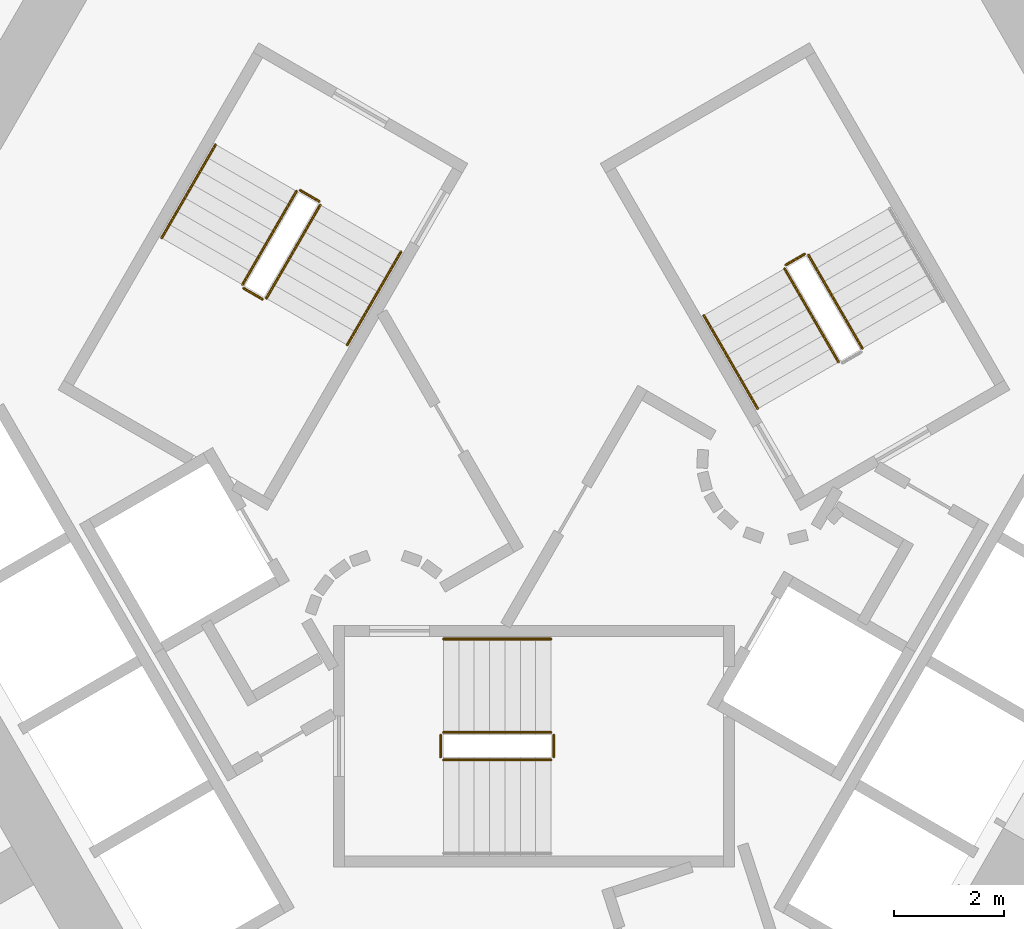
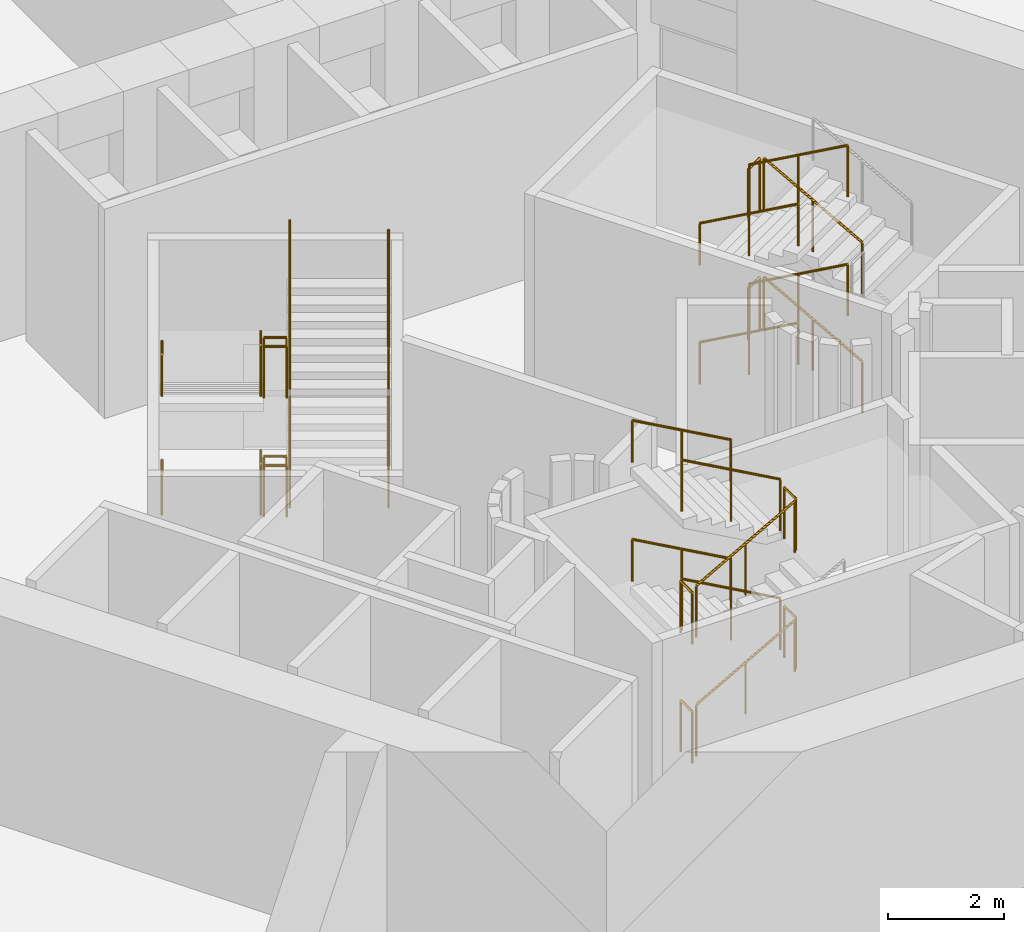
# One storey, part 12 of 15: 30 railings.
"""IFC4 building model written with IfcOpenShell, lengths in metres."""

from ifc_helpers import new_model, si_unit, direction, frame, origin, origin_2d, place, context, subcontext, project, spatial, circle, extrude, material, type_object, element, save


model = new_model("IFC4")

# Units and contexts
model_context = context("Model", 3, precision=1e-05, world=origin(), true_north=direction((0.0, 1.0)))
body_context = subcontext(model_context, "Body", "Model", "MODEL_VIEW")
ifc_project = project(units=[si_unit("LENGTHUNIT", "METRE"), si_unit("AREAUNIT", "SQUARE_METRE"), si_unit("VOLUMEUNIT", "CUBIC_METRE"), si_unit("PLANEANGLEUNIT", "RADIAN"), si_unit("MASSUNIT", "GRAM", prefix="KILO")], contexts=[model_context])

# Site, building, storey
site_placement = place(None, origin())
site = spatial("IfcSite", under=ifc_project, at=site_placement, CompositionType="ELEMENT")
building_placement = place(site_placement, origin())
building = spatial("IfcBuilding", under=site, at=building_placement, Name="Entoto Arch Interchange Tower", CompositionType="ELEMENT")
storey_placement = place(building_placement, frame((0.0, 0.0, 30.0)))
storey = spatial("IfcBuildingStorey", under=building, at=storey_placement, Name="L05", CompositionType="ELEMENT", Elevation=30.0)

# Railings
ifc_material = material(Name="Stainless steel 1.4301", Category="steel")
railing_type_1 = type_object("IfcRailingType", Name="STAIR GUARD 1100 STEEL", PredefinedType="GUARDRAIL", material=ifc_material)
railing_1_placement = place(storey_placement, frame((-1.64990234375, -3.449951171875, 0.15625)))
element("IfcRailing", 1, at=railing_1_placement, inside=storey, type_object=railing_type_1, Name="L05 ST-S stair guard 1", PredefinedType="GUARDRAIL", context=body_context, shape_type="SweptSolid", body=[
    extrude(circle(Radius=0.02392578125, at=origin_2d()), frame((0.0, 0.0, 1.076171875), z_axis=(0.873232148454, 0.0, 0.487304437602), x_axis=(0.0, 1.0, 0.0)), (0.0, 0.0, 1.0), 2.244384765625),
    extrude(circle(Radius=0.02099609375, at=origin_2d()), origin(), (0.0, 0.0, 1.0), 1.052001953125),
    extrude(circle(Radius=0.02099609375, at=origin_2d()), frame((0.97998046875, 0.0, 0.546875)), (0.0, 0.0, 1.0), 1.052001953125),
    extrude(circle(Radius=0.02099609375, at=origin_2d()), frame((1.9599609375, 0.0, 1.09375)), (0.0, 0.0, 1.0), 1.052001953125),
])
railing_2_placement = place(storey_placement, frame((0.360107421875, -3.39990234375, 1.25)))
element("IfcRailing", 2, at=railing_2_placement, inside=storey, type_object=railing_type_1, Name="L05 ST-S stair guard 2", PredefinedType="GUARDRAIL", context=body_context, shape_type="SweptSolid", body=[
    extrude(circle(Radius=0.02392578125, at=origin_2d()), frame((0.0, 0.0, 1.076171875), z_axis=(0.0, 1.0, 0.0), x_axis=(-1.0, 0.0, 0.0)), (0.0, 0.0, 1.0), 0.39990234375),
    extrude(circle(Radius=0.02099609375, at=origin_2d()), origin(), (0.0, 0.0, 1.0), 1.052001953125),
    extrude(circle(Radius=0.02099609375, at=origin_2d()), frame((0.0, 0.39990234375, 0.0)), (0.0, 0.0, 1.0), 1.052001953125),
])
railing_3_placement = place(storey_placement, frame((0.31005859375, -2.949951171875, 1.40625)))
element("IfcRailing", 3, at=railing_3_placement, inside=storey, type_object=railing_type_1, Name="L05 ST-S stair guard 3", PredefinedType="GUARDRAIL", context=body_context, shape_type="SweptSolid", body=[
    extrude(circle(Radius=0.02392578125, at=origin_2d()), frame((0.0, 0.0, 1.076171875), z_axis=(-0.873232148454, 0.0, 0.487304437602), x_axis=(0.0, -1.0, 0.0)), (0.0, 0.0, 1.0), 2.244384765625),
    extrude(circle(Radius=0.02099609375, at=origin_2d()), origin(), (0.0, 0.0, 1.0), 1.052001953125),
    extrude(circle(Radius=0.02099609375, at=origin_2d()), frame((-0.97998046875, 0.0, 0.546875)), (0.0, 0.0, 1.0), 1.052001953125),
    extrude(circle(Radius=0.02099609375, at=origin_2d()), frame((-1.9599609375, 0.0, 1.09375)), (0.0, 0.0, 1.0), 1.052001953125),
])
railing_4_placement = place(storey_placement, frame((-1.699951171875, -3.39990234375, 2.5)))
element("IfcRailing", 4, at=railing_4_placement, inside=storey, type_object=railing_type_1, Name="L05 ST-S stair guard 4", PredefinedType="GUARDRAIL", context=body_context, shape_type="SweptSolid", body=[
    extrude(circle(Radius=0.02392578125, at=origin_2d()), frame((0.0, 0.0, 1.076171875), z_axis=(0.0, 1.0, 0.0), x_axis=(-1.0, 0.0, 0.0)), (0.0, 0.0, 1.0), 0.39990234375),
    extrude(circle(Radius=0.02099609375, at=origin_2d()), origin(), (0.0, 0.0, 1.0), 1.052001953125),
    extrude(circle(Radius=0.02099609375, at=origin_2d()), frame((0.0, 0.39990234375, 0.0)), (0.0, 0.0, 1.0), 1.052001953125),
])
railing_5_placement = place(storey_placement, frame((-1.64990234375, -3.449951171875, 2.65625)))
element("IfcRailing", 5, at=railing_5_placement, inside=storey, type_object=railing_type_1, Name="L05 ST-S stair guard 5", PredefinedType="GUARDRAIL", context=body_context, shape_type="SweptSolid", body=[
    extrude(circle(Radius=0.02392578125, at=origin_2d()), frame((0.0, 0.0, 1.076171875), z_axis=(0.873232148454, 0.0, 0.487304437602), x_axis=(0.0, 1.0, 0.0)), (0.0, 0.0, 1.0), 2.244384765625),
    extrude(circle(Radius=0.02099609375, at=origin_2d()), origin(), (0.0, 0.0, 1.0), 1.052001953125),
    extrude(circle(Radius=0.02099609375, at=origin_2d()), frame((0.97998046875, 0.0, 0.546875)), (0.0, 0.0, 1.0), 1.052001953125),
    extrude(circle(Radius=0.02099609375, at=origin_2d()), frame((1.9599609375, 0.0, 1.09375)), (0.0, 0.0, 1.0), 1.052001953125),
])
railing_6_placement = place(storey_placement, frame((0.360107421875, -3.39990234375, 3.75)))
element("IfcRailing", 6, at=railing_6_placement, inside=storey, type_object=railing_type_1, Name="L05 ST-S stair guard 6", PredefinedType="GUARDRAIL", context=body_context, shape_type="SweptSolid", body=[
    extrude(circle(Radius=0.02392578125, at=origin_2d()), frame((0.0, 0.0, 1.076171875), z_axis=(0.0, 1.0, 0.0), x_axis=(-1.0, 0.0, 0.0)), (0.0, 0.0, 1.0), 0.39990234375),
    extrude(circle(Radius=0.02099609375, at=origin_2d()), origin(), (0.0, 0.0, 1.0), 1.052001953125),
    extrude(circle(Radius=0.02099609375, at=origin_2d()), frame((0.0, 0.39990234375, 0.0)), (0.0, 0.0, 1.0), 1.052001953125),
])
railing_7_placement = place(storey_placement, frame((0.31005859375, -2.949951171875, 3.90625)))
element("IfcRailing", 7, at=railing_7_placement, inside=storey, type_object=railing_type_1, Name="L05 ST-S stair guard 7", PredefinedType="GUARDRAIL", context=body_context, shape_type="SweptSolid", body=[
    extrude(circle(Radius=0.02392578125, at=origin_2d()), frame((0.0, 0.0, 1.076171875), z_axis=(-0.873232148454, 0.0, 0.487304437602), x_axis=(0.0, -1.0, 0.0)), (0.0, 0.0, 1.0), 2.244384765625),
    extrude(circle(Radius=0.02099609375, at=origin_2d()), origin(), (0.0, 0.0, 1.0), 1.052001953125),
    extrude(circle(Radius=0.02099609375, at=origin_2d()), frame((-0.97998046875, 0.0, 0.546875)), (0.0, 0.0, 1.0), 1.052001953125),
    extrude(circle(Radius=0.02099609375, at=origin_2d()), frame((-1.9599609375, 0.0, 1.09375)), (0.0, 0.0, 1.0), 1.052001953125),
])
railing_8_placement = place(storey_placement, frame((-1.699951171875, -3.39990234375, 0.0)))
element("IfcRailing", 8, at=railing_8_placement, inside=storey, type_object=railing_type_1, Name="L05 ST-S stair guard 8", PredefinedType="GUARDRAIL", context=body_context, shape_type="SweptSolid", body=[
    extrude(circle(Radius=0.02392578125, at=origin_2d()), frame((0.0, 0.0, 1.076171875), z_axis=(0.0, 1.0, 0.0), x_axis=(-1.0, 0.0, 0.0)), (0.0, 0.0, 1.0), 0.39990234375),
    extrude(circle(Radius=0.02099609375, at=origin_2d()), origin(), (0.0, 0.0, 1.0), 1.052001953125),
    extrude(circle(Radius=0.02099609375, at=origin_2d()), frame((0.0, 0.39990234375, 0.0)), (0.0, 0.0, 1.0), 1.052001953125),
])
railing_9_placement = place(storey_placement, frame((5.977783203125, 4.046142578125, 0.15625)))
element("IfcRailing", 9, at=railing_9_placement, inside=storey, type_object=railing_type_1, Name="L05 ST-NE stair guard 1", PredefinedType="GUARDRAIL", context=body_context, shape_type="SweptSolid", body=[
    extrude(circle(Radius=0.02392578125, at=origin_2d()), frame((0.0, 0.0, 1.076171875), z_axis=(-0.436632306331, 0.756220177781, 0.487322554151), x_axis=(-0.866011328839, -0.500024377727, 0.0)), (0.0, 0.0, 1.0), 2.244384765625),
    extrude(circle(Radius=0.02099609375, at=origin_2d()), origin(), (0.0, 0.0, 1.0), 1.052001953125),
    extrude(circle(Radius=0.02099609375, at=origin_2d()), frame((-0.489990234375, 0.8486328125, 0.546875)), (0.0, 0.0, 1.0), 1.052001953125),
    extrude(circle(Radius=0.02099609375, at=origin_2d()), frame((-0.97998046875, 1.697265625, 1.09375)), (0.0, 0.0, 1.0), 1.052001953125),
])
railing_10_placement = place(storey_placement, frame((4.929443359375, 5.76171875, 1.25)))
element("IfcRailing", 10, at=railing_10_placement, inside=storey, type_object=railing_type_1, Name="L05 ST-NE stair guard 2", PredefinedType="GUARDRAIL", context=body_context, shape_type="SweptSolid", body=[
    extrude(circle(Radius=0.02392578125, at=origin_2d()), frame((0.0, 0.0, 1.076171875), z_axis=(-0.865941482684, -0.500145327446, 0.0), x_axis=(0.500145327446, -0.865941482684, 0.0)), (0.0, 0.0, 1.0), 0.39990234375),
    extrude(circle(Radius=0.02099609375, at=origin_2d()), origin(), (0.0, 0.0, 1.0), 1.052001953125),
    extrude(circle(Radius=0.02099609375, at=origin_2d()), frame((-0.34619140625, -0.199951171875, 0.0)), (0.0, 0.0, 1.0), 1.052001953125),
])
railing_11_placement = place(storey_placement, frame((4.56494140625, 5.493408203125, 1.40625)))
element("IfcRailing", 11, at=railing_11_placement, inside=storey, type_object=railing_type_1, Name="L05 ST-NE stair guard 3", PredefinedType="GUARDRAIL", context=body_context, shape_type="SweptSolid", body=[
    extrude(circle(Radius=0.02392578125, at=origin_2d()), frame((0.0, 0.0, 1.076171875), z_axis=(0.436632306331, -0.756220177781, 0.487322554151), x_axis=(0.866011328839, 0.500024377727, 0.0)), (0.0, 0.0, 1.0), 2.244384765625),
    extrude(circle(Radius=0.02099609375, at=origin_2d()), origin(), (0.0, 0.0, 1.0), 1.052001953125),
    extrude(circle(Radius=0.02099609375, at=origin_2d()), frame((0.489990234375, -0.8486328125, 0.546875)), (0.0, 0.0, 1.0), 1.052001953125),
    extrude(circle(Radius=0.02099609375, at=origin_2d()), frame((0.97998046875, -1.697265625, 1.09375)), (0.0, 0.0, 1.0), 1.052001953125),
])
railing_12_placement = place(storey_placement, frame((5.977783203125, 4.046142578125, 2.65625)))
element("IfcRailing", 12, at=railing_12_placement, inside=storey, type_object=railing_type_1, Name="L05 ST-NE stair guard 5", PredefinedType="GUARDRAIL", context=body_context, shape_type="SweptSolid", body=[
    extrude(circle(Radius=0.02392578125, at=origin_2d()), frame((0.0, 0.0, 1.076171875), z_axis=(-0.436632306331, 0.756220177781, 0.487322554151), x_axis=(-0.866011328839, -0.500024377727, 0.0)), (0.0, 0.0, 1.0), 2.244384765625),
    extrude(circle(Radius=0.02099609375, at=origin_2d()), origin(), (0.0, 0.0, 1.0), 1.052001953125),
    extrude(circle(Radius=0.02099609375, at=origin_2d()), frame((-0.489990234375, 0.8486328125, 0.546875)), (0.0, 0.0, 1.0), 1.052001953125),
    extrude(circle(Radius=0.02099609375, at=origin_2d()), frame((-0.97998046875, 1.697265625, 1.09375)), (0.0, 0.0, 1.0), 1.052001953125),
])
railing_13_placement = place(storey_placement, frame((4.929443359375, 5.76171875, 3.75)))
element("IfcRailing", 13, at=railing_13_placement, inside=storey, type_object=railing_type_1, Name="L05 ST-NE stair guard 6", PredefinedType="GUARDRAIL", context=body_context, shape_type="SweptSolid", body=[
    extrude(circle(Radius=0.02392578125, at=origin_2d()), frame((0.0, 0.0, 1.076171875), z_axis=(-0.865941482684, -0.500145327446, 0.0), x_axis=(0.500145327446, -0.865941482684, 0.0)), (0.0, 0.0, 1.0), 0.39990234375),
    extrude(circle(Radius=0.02099609375, at=origin_2d()), origin(), (0.0, 0.0, 1.0), 1.052001953125),
    extrude(circle(Radius=0.02099609375, at=origin_2d()), frame((-0.34619140625, -0.199951171875, 0.0)), (0.0, 0.0, 1.0), 1.052001953125),
])
railing_14_placement = place(storey_placement, frame((4.56494140625, 5.493408203125, 3.90625)))
element("IfcRailing", 14, at=railing_14_placement, inside=storey, type_object=railing_type_1, Name="L05 ST-NE stair guard 7", PredefinedType="GUARDRAIL", context=body_context, shape_type="SweptSolid", body=[
    extrude(circle(Radius=0.02392578125, at=origin_2d()), frame((0.0, 0.0, 1.076171875), z_axis=(0.436632306331, -0.756220177781, 0.487322554151), x_axis=(0.866011328839, 0.500024377727, 0.0)), (0.0, 0.0, 1.0), 2.244384765625),
    extrude(circle(Radius=0.02099609375, at=origin_2d()), origin(), (0.0, 0.0, 1.0), 1.052001953125),
    extrude(circle(Radius=0.02099609375, at=origin_2d()), frame((0.489990234375, -0.8486328125, 0.546875)), (0.0, 0.0, 1.0), 1.052001953125),
    extrude(circle(Radius=0.02099609375, at=origin_2d()), frame((0.97998046875, -1.697265625, 1.09375)), (0.0, 0.0, 1.0), 1.052001953125),
])
railing_15_placement = place(storey_placement, frame((-4.327880859375, 6.904052734375, 0.15625)))
element("IfcRailing", 15, at=railing_15_placement, inside=storey, type_object=railing_type_1, Name="L05 ST-NW stair guard 1", PredefinedType="GUARDRAIL", context=body_context, shape_type="SweptSolid", body=[
    extrude(circle(Radius=0.02392578125, at=origin_2d()), frame((0.0, 0.0, 1.076171875), z_axis=(-0.436596390967, -0.756266742998, 0.487282469241), x_axis=(0.866042469362, -0.499970440388, 0.0)), (0.0, 0.0, 1.0), 2.24462890625),
    extrude(circle(Radius=0.02099609375, at=origin_2d()), origin(), (0.0, 0.0, 1.0), 1.052001953125),
    extrude(circle(Radius=0.02099609375, at=origin_2d()), frame((-0.489990234375, -0.8486328125, 0.546875)), (0.0, 0.0, 1.0), 1.052001953125),
    extrude(circle(Radius=0.02099609375, at=origin_2d()), frame((-0.97998046875, -1.697509765625, 1.09375)), (0.0, 0.0, 1.0), 1.052001953125),
])
railing_16_placement = place(storey_placement, frame((-5.28955078125, 5.13818359375, 1.25)))
element("IfcRailing", 16, at=railing_16_placement, inside=storey, type_object=railing_type_1, Name="L05 ST-NW stair guard 2", PredefinedType="GUARDRAIL", context=body_context, shape_type="SweptSolid", body=[
    extrude(circle(Radius=0.02392578125, at=origin_2d()), frame((0.0, 0.0, 1.076171875), z_axis=(0.866094119867, -0.499880961361, 0.0), x_axis=(0.499880961361, 0.866094119867, 0.0)), (0.0, 0.0, 1.0), 0.39990234375),
    extrude(circle(Radius=0.02099609375, at=origin_2d()), origin(), (0.0, 0.0, 1.0), 1.052001953125),
    extrude(circle(Radius=0.02099609375, at=origin_2d()), frame((0.346435546875, -0.199951171875, 0.0)), (0.0, 0.0, 1.0), 1.052001953125),
])
railing_17_placement = place(storey_placement, frame((-4.874755859375, 4.95654296875, 1.40625)))
element("IfcRailing", 17, at=railing_17_placement, inside=storey, type_object=railing_type_1, Name="L05 ST-NW stair guard 3", PredefinedType="GUARDRAIL", context=body_context, shape_type="SweptSolid", body=[
    extrude(circle(Radius=0.02392578125, at=origin_2d()), frame((0.0, 0.0, 1.076171875), z_axis=(0.436596390967, 0.756266742998, 0.487282469241), x_axis=(-0.866042469362, 0.499970440388, 0.0)), (0.0, 0.0, 1.0), 2.24462890625),
    extrude(circle(Radius=0.02099609375, at=origin_2d()), origin(), (0.0, 0.0, 1.0), 1.052001953125),
    extrude(circle(Radius=0.02099609375, at=origin_2d()), frame((0.489990234375, 0.8486328125, 0.546875)), (0.0, 0.0, 1.0), 1.052001953125),
    extrude(circle(Radius=0.02099609375, at=origin_2d()), frame((0.97998046875, 1.697509765625, 1.09375)), (0.0, 0.0, 1.0), 1.052001953125),
])
railing_18_placement = place(storey_placement, frame((-4.259521484375, 6.92236328125, 2.5)))
element("IfcRailing", 18, at=railing_18_placement, inside=storey, type_object=railing_type_1, Name="L05 ST-NW stair guard 4", PredefinedType="GUARDRAIL", context=body_context, shape_type="SweptSolid", body=[
    extrude(circle(Radius=0.02392578125, at=origin_2d()), frame((0.0, 0.0, 1.076171875), z_axis=(0.865829829939, -0.500338590944, 0.0), x_axis=(0.500338590944, 0.865829829939, 0.0)), (0.0, 0.0, 1.0), 0.400146484375),
    extrude(circle(Radius=0.02099609375, at=origin_2d()), origin(), (0.0, 0.0, 1.0), 1.052001953125),
    extrude(circle(Radius=0.02099609375, at=origin_2d()), frame((0.346435546875, -0.2001953125, 0.0)), (0.0, 0.0, 1.0), 1.052001953125),
])
railing_19_placement = place(storey_placement, frame((-4.327880859375, 6.904052734375, 2.65625)))
element("IfcRailing", 19, at=railing_19_placement, inside=storey, type_object=railing_type_1, Name="L05 ST-NW stair guard 5", PredefinedType="GUARDRAIL", context=body_context, shape_type="SweptSolid", body=[
    extrude(circle(Radius=0.02392578125, at=origin_2d()), frame((0.0, 0.0, 1.076171875), z_axis=(-0.436596390967, -0.756266742998, 0.487282469241), x_axis=(0.866042469362, -0.499970440388, 0.0)), (0.0, 0.0, 1.0), 2.24462890625),
    extrude(circle(Radius=0.02099609375, at=origin_2d()), origin(), (0.0, 0.0, 1.0), 1.052001953125),
    extrude(circle(Radius=0.02099609375, at=origin_2d()), frame((-0.489990234375, -0.8486328125, 0.546875)), (0.0, 0.0, 1.0), 1.052001953125),
    extrude(circle(Radius=0.02099609375, at=origin_2d()), frame((-0.97998046875, -1.697509765625, 1.09375)), (0.0, 0.0, 1.0), 1.052001953125),
])
railing_20_placement = place(storey_placement, frame((-5.28955078125, 5.13818359375, 3.75)))
element("IfcRailing", 20, at=railing_20_placement, inside=storey, type_object=railing_type_1, Name="L05 ST-NW stair guard 6", PredefinedType="GUARDRAIL", context=body_context, shape_type="SweptSolid", body=[
    extrude(circle(Radius=0.02392578125, at=origin_2d()), frame((0.0, 0.0, 1.076171875), z_axis=(0.866094119867, -0.499880961361, 0.0), x_axis=(0.499880961361, 0.866094119867, 0.0)), (0.0, 0.0, 1.0), 0.39990234375),
    extrude(circle(Radius=0.02099609375, at=origin_2d()), origin(), (0.0, 0.0, 1.0), 1.052001953125),
    extrude(circle(Radius=0.02099609375, at=origin_2d()), frame((0.346435546875, -0.199951171875, 0.0)), (0.0, 0.0, 1.0), 1.052001953125),
])
railing_21_placement = place(storey_placement, frame((-4.874755859375, 4.95654296875, 3.90625)))
element("IfcRailing", 21, at=railing_21_placement, inside=storey, type_object=railing_type_1, Name="L05 ST-NW stair guard 7", PredefinedType="GUARDRAIL", context=body_context, shape_type="SweptSolid", body=[
    extrude(circle(Radius=0.02392578125, at=origin_2d()), frame((0.0, 0.0, 1.076171875), z_axis=(0.436596390967, 0.756266742998, 0.487282469241), x_axis=(-0.866042469362, 0.499970440388, 0.0)), (0.0, 0.0, 1.0), 2.24462890625),
    extrude(circle(Radius=0.02099609375, at=origin_2d()), origin(), (0.0, 0.0, 1.0), 1.052001953125),
    extrude(circle(Radius=0.02099609375, at=origin_2d()), frame((0.489990234375, 0.8486328125, 0.546875)), (0.0, 0.0, 1.0), 1.052001953125),
    extrude(circle(Radius=0.02099609375, at=origin_2d()), frame((0.97998046875, 1.697509765625, 1.09375)), (0.0, 0.0, 1.0), 1.052001953125),
])
railing_22_placement = place(storey_placement, frame((-4.259521484375, 6.92236328125, 0.0)))
element("IfcRailing", 22, at=railing_22_placement, inside=storey, type_object=railing_type_1, Name="L05 ST-NW stair guard 8", PredefinedType="GUARDRAIL", context=body_context, shape_type="SweptSolid", body=[
    extrude(circle(Radius=0.02392578125, at=origin_2d()), frame((0.0, 0.0, 1.076171875), z_axis=(0.865829829939, -0.500338590944, 0.0), x_axis=(0.500338590944, 0.865829829939, 0.0)), (0.0, 0.0, 1.0), 0.400146484375),
    extrude(circle(Radius=0.02099609375, at=origin_2d()), origin(), (0.0, 0.0, 1.0), 1.052001953125),
    extrude(circle(Radius=0.02099609375, at=origin_2d()), frame((0.346435546875, -0.2001953125, 0.0)), (0.0, 0.0, 1.0), 1.052001953125),
])
railing_type_2 = type_object("IfcRailingType", Name="STAIR HANDRAIL 900 STEEL", PredefinedType="HANDRAIL", material=ifc_material)
for number, where, name in (
    (23, (0.31005859375, -1.25, 1.40625), "L05 ST-S stair handrail 2"),
    (24, (0.31005859375, -1.25, 3.90625), "L05 ST-S stair handrail 4"),
):
    element("IfcRailing", number, at=place(storey_placement, frame(where)), inside=storey, type_object=railing_type_2, Name=name, PredefinedType="HANDRAIL", context=body_context, shape_type="SweptSolid", body=[
        extrude(circle(Radius=0.02392578125, at=origin_2d()), frame((0.0, 0.0, 0.8759765625), z_axis=(-0.873232148454, 0.0, 0.487304437602), x_axis=(0.0, -1.0, 0.0)), (0.0, 0.0, 1.0), 2.244384765625),
        extrude(circle(Radius=0.02099609375, at=origin_2d()), origin(), (0.0, 0.0, 1.0), 0.851806640625),
        extrude(circle(Radius=0.02099609375, at=origin_2d()), frame((-0.97998046875, 0.0, 0.546875)), (0.0, 0.0, 1.0), 0.851806640625),
        extrude(circle(Radius=0.02099609375, at=origin_2d()), frame((-1.9599609375, 0.0, 1.09375)), (0.0, 0.0, 1.0), 0.851806640625),
    ])
for number, where, name in (
    (25, (3.092529296875, 4.6435546875, 1.40625), "L05 ST-NE stair handrail 2"),
    (26, (3.092529296875, 4.6435546875, 3.90625), "L05 ST-NE stair handrail 4"),
):
    element("IfcRailing", number, at=place(storey_placement, frame(where)), inside=storey, type_object=railing_type_2, Name=name, PredefinedType="HANDRAIL", context=body_context, shape_type="SweptSolid", body=[
        extrude(circle(Radius=0.02392578125, at=origin_2d()), frame((0.0, 0.0, 0.8759765625), z_axis=(0.436596390967, -0.756266742998, 0.487282469241), x_axis=(0.866042469362, 0.499970440388, 0.0)), (0.0, 0.0, 1.0), 2.24462890625),
        extrude(circle(Radius=0.02099609375, at=origin_2d()), origin(), (0.0, 0.0, 1.0), 0.851806640625),
        extrude(circle(Radius=0.02099609375, at=origin_2d()), frame((0.489990234375, -0.8486328125, 0.546875)), (0.0, 0.0, 1.0), 0.851806640625),
        extrude(circle(Radius=0.02099609375, at=origin_2d()), frame((0.97998046875, -1.697509765625, 1.09375)), (0.0, 0.0, 1.0), 0.851806640625),
    ])
railing_23_placement = place(storey_placement, frame((-5.800048828125, 7.75390625, 0.15625)))
element("IfcRailing", 27, at=railing_23_placement, inside=storey, type_object=railing_type_2, Name="L05 ST-NW stair handrail 1", PredefinedType="HANDRAIL", context=body_context, shape_type="SweptSolid", body=[
    extrude(circle(Radius=0.02392578125, at=origin_2d()), frame((0.0, 0.0, 0.8759765625), z_axis=(-0.436632306331, -0.756220177781, 0.487322554151), x_axis=(0.866011328839, -0.500024377727, 0.0)), (0.0, 0.0, 1.0), 2.244384765625),
    extrude(circle(Radius=0.02099609375, at=origin_2d()), origin(), (0.0, 0.0, 1.0), 0.851806640625),
    extrude(circle(Radius=0.02099609375, at=origin_2d()), frame((-0.489990234375, -0.8486328125, 0.546875)), (0.0, 0.0, 1.0), 0.851806640625),
    extrude(circle(Radius=0.02099609375, at=origin_2d()), frame((-0.97998046875, -1.697265625, 1.09375)), (0.0, 0.0, 1.0), 0.851806640625),
])
railing_24_placement = place(storey_placement, frame((-3.402587890625, 4.1064453125, 1.40625)))
element("IfcRailing", 28, at=railing_24_placement, inside=storey, type_object=railing_type_2, Name="L05 ST-NW stair handrail 2", PredefinedType="HANDRAIL", context=body_context, shape_type="SweptSolid", body=[
    extrude(circle(Radius=0.02392578125, at=origin_2d()), frame((0.0, 0.0, 0.8759765625), z_axis=(0.436596390967, 0.756266742998, 0.487282469241), x_axis=(-0.866042469362, 0.499970440388, 0.0)), (0.0, 0.0, 1.0), 2.24462890625),
    extrude(circle(Radius=0.02099609375, at=origin_2d()), origin(), (0.0, 0.0, 1.0), 0.851806640625),
    extrude(circle(Radius=0.02099609375, at=origin_2d()), frame((0.489990234375, 0.8486328125, 0.546875)), (0.0, 0.0, 1.0), 0.851806640625),
    extrude(circle(Radius=0.02099609375, at=origin_2d()), frame((0.97998046875, 1.697509765625, 1.09375)), (0.0, 0.0, 1.0), 0.851806640625),
])
railing_25_placement = place(storey_placement, frame((-5.800048828125, 7.75390625, 2.65625)))
element("IfcRailing", 29, at=railing_25_placement, inside=storey, type_object=railing_type_2, Name="L05 ST-NW stair handrail 3", PredefinedType="HANDRAIL", context=body_context, shape_type="SweptSolid", body=[
    extrude(circle(Radius=0.02392578125, at=origin_2d()), frame((0.0, 0.0, 0.8759765625), z_axis=(-0.436632306331, -0.756220177781, 0.487322554151), x_axis=(0.866011328839, -0.500024377727, 0.0)), (0.0, 0.0, 1.0), 2.244384765625),
    extrude(circle(Radius=0.02099609375, at=origin_2d()), origin(), (0.0, 0.0, 1.0), 0.851806640625),
    extrude(circle(Radius=0.02099609375, at=origin_2d()), frame((-0.489990234375, -0.8486328125, 0.546875)), (0.0, 0.0, 1.0), 0.851806640625),
    extrude(circle(Radius=0.02099609375, at=origin_2d()), frame((-0.97998046875, -1.697265625, 1.09375)), (0.0, 0.0, 1.0), 0.851806640625),
])
railing_26_placement = place(storey_placement, frame((-3.402587890625, 4.1064453125, 3.90625)))
element("IfcRailing", 30, at=railing_26_placement, inside=storey, type_object=railing_type_2, Name="L05 ST-NW stair handrail 4", PredefinedType="HANDRAIL", context=body_context, shape_type="SweptSolid", body=[
    extrude(circle(Radius=0.02392578125, at=origin_2d()), frame((0.0, 0.0, 0.8759765625), z_axis=(0.436596390967, 0.756266742998, 0.487282469241), x_axis=(-0.866042469362, 0.499970440388, 0.0)), (0.0, 0.0, 1.0), 2.24462890625),
    extrude(circle(Radius=0.02099609375, at=origin_2d()), origin(), (0.0, 0.0, 1.0), 0.851806640625),
    extrude(circle(Radius=0.02099609375, at=origin_2d()), frame((0.489990234375, 0.8486328125, 0.546875)), (0.0, 0.0, 1.0), 0.851806640625),
    extrude(circle(Radius=0.02099609375, at=origin_2d()), frame((0.97998046875, 1.697509765625, 1.09375)), (0.0, 0.0, 1.0), 0.851806640625),
])

save(model, "model.ifc")
